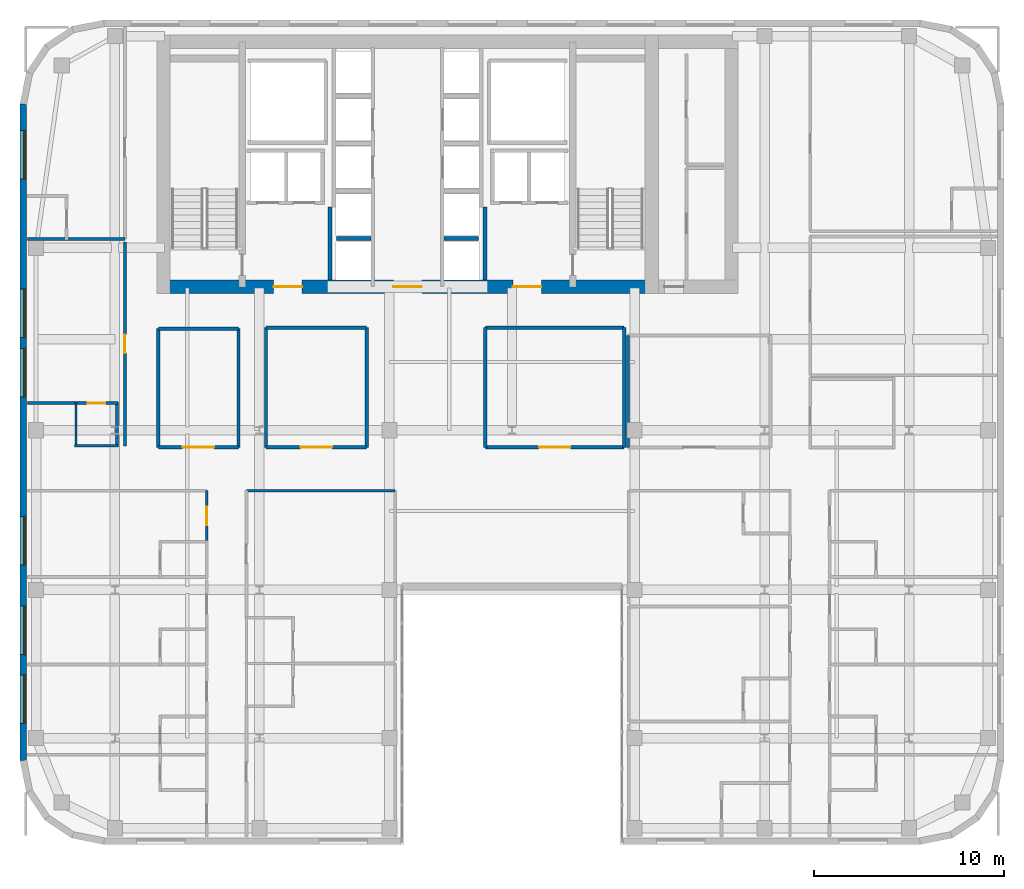
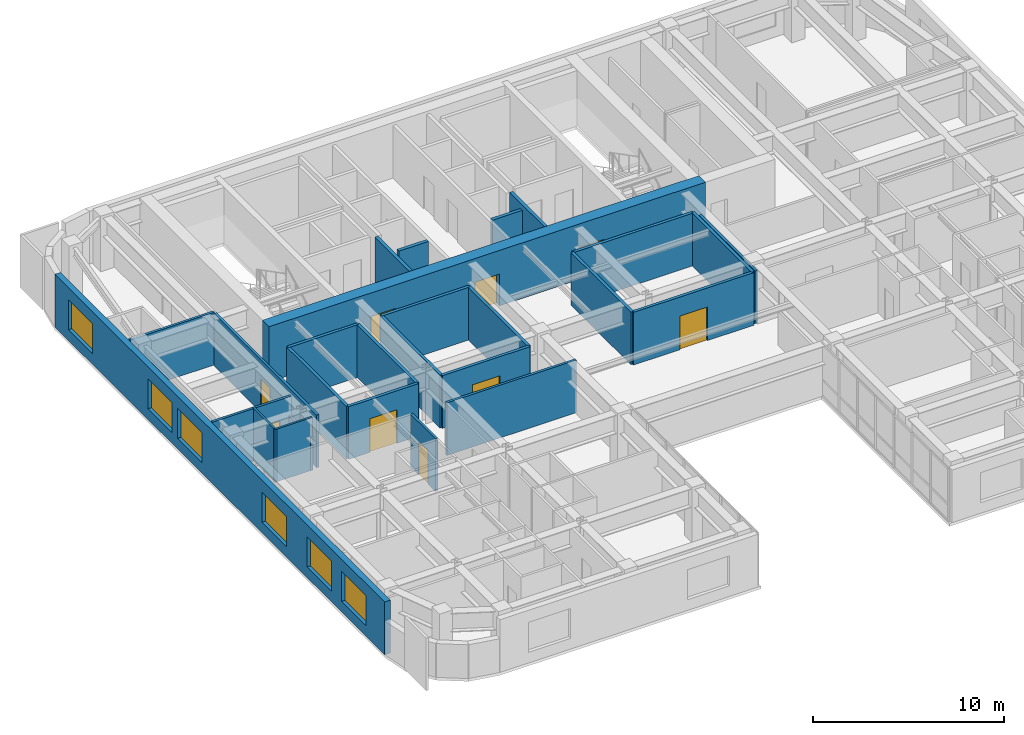
# One storey, part 8 of 14: 28 walls, 9 doors, 6 windows, 15 openings.
"""IFC4 building model written with IfcOpenShell, lengths in metres."""

from ifc_helpers import new_model, si_unit, direction, frame, frame_2d, origin, place, context, subcontext, project, spatial, rectangle, extrude, source, transform, mapped, material, layer, layer_set, type_object, type_shapes, element, fill, save


model = new_model("IFC4")

# Units and contexts
model_context = context("Model", 3, precision=1e-05, world=origin(), true_north=direction((0.0, 1.0)))
body_context = subcontext(model_context, "Body", "Model", "MODEL_VIEW")
ifc_project = project(units=[si_unit("LENGTHUNIT", "METRE"), si_unit("AREAUNIT", "SQUARE_METRE"), si_unit("VOLUMEUNIT", "CUBIC_METRE"), si_unit("PLANEANGLEUNIT", "RADIAN"), si_unit("MASSUNIT", "GRAM", prefix="KILO")], contexts=[model_context])

# Site, building, storey
site_placement = place(None, origin())
site = spatial("IfcSite", under=ifc_project, at=site_placement, CompositionType="ELEMENT")
building_placement = place(site_placement, origin())
building = spatial("IfcBuilding", under=site, at=building_placement, Name="Tolvann Quenvar Hotel", CompositionType="ELEMENT")
storey_placement = place(building_placement, frame((0.0, 0.0, 150.60009765625)))
storey = spatial("IfcBuildingStorey", under=building, at=storey_placement, Name="L39", CompositionType="ELEMENT", Elevation=150.60009765625)

# Wall, openings, doors
ifc_material_1 = material(Name="Concrete S65 (65 MPa)", Category="concrete")
ifc_layer_1 = layer(ifc_material_1, 0.699951171875)
ifc_layer_set_1 = layer_set([ifc_layer_1], Name="Concrete S65 (65 MPa)")
wall_type_1 = type_object("IfcWallType", Name="WALL_CORE_700", PredefinedType="SHEAR", material=ifc_layer_set_1)
wall_1_placement = place(storey_placement, frame((9.800048828125, 31.949951171875, 0.0), z_axis=(0.0, 0.0, 1.0), x_axis=(1.0, 0.0, 0.0)))
wall_1 = element("IfcWall", 1, at=wall_1_placement, inside=storey, type_object=wall_type_1, Name="Rear Core S Shear Wall (L39)", PredefinedType="SHEAR", context=body_context, shape_type="SweptSolid", body=[
    extrude(rectangle(XDim=26.39990234375, YDim=0.699951171875, at=frame_2d((13.199951171875, 0.0))), origin(), (0.0, 0.0, 1.0), 3.5498046875),
])
opening_1_placement = place(wall_1_placement, frame((7.64990234375, 0.0, 0.0), z_axis=(0.0, 0.0, 1.0), x_axis=(-1.0, 0.0, 0.0)))
opening_1 = element("IfcOpeningElement", 2, at=opening_1_placement, cuts=wall_1, Name="Opening FD-60D", PredefinedType="OPENING", context=body_context, shape_type="SweptSolid", body=[
    extrude(rectangle(XDim=1.5, YDim=2.0400390625, at=frame_2d((0.75, 1.02001953125))), frame((0.0, 0.35986328125, 0.0), z_axis=(0.0, -1.0, 0.0), x_axis=(1.0, 0.0, 0.0)), (0.0, 0.0, 1.0), 0.719970703125),
])
opening_2_placement = place(wall_1_placement, frame((13.949951171875, 0.0, 0.0), z_axis=(0.0, 0.0, 1.0), x_axis=(-1.0, 0.0, 0.0)))
opening_2 = element("IfcOpeningElement", 3, at=opening_2_placement, cuts=wall_1, Name="Opening FD-60D", PredefinedType="OPENING", context=body_context, shape_type="SweptSolid", body=[
    extrude(rectangle(XDim=1.5, YDim=2.0400390625, at=frame_2d((0.75, 1.02001953125))), frame((0.0, 0.35986328125, 0.0), z_axis=(0.0, -1.0, 0.0), x_axis=(1.0, 0.0, 0.0)), (0.0, 0.0, 1.0), 0.719970703125),
])
opening_3_placement = place(wall_1_placement, frame((20.25, 0.0, 0.0), z_axis=(0.0, 0.0, 1.0), x_axis=(-1.0, 0.0, 0.0)))
opening_3 = element("IfcOpeningElement", 4, at=opening_3_placement, cuts=wall_1, Name="Opening FD-60D", PredefinedType="OPENING", context=body_context, shape_type="SweptSolid", body=[
    extrude(rectangle(XDim=1.5, YDim=2.0400390625, at=frame_2d((0.75, 1.02001953125))), frame((0.0, 0.35986328125, 0.0), z_axis=(0.0, -1.0, 0.0), x_axis=(1.0, 0.0, 0.0)), (0.0, 0.0, 1.0), 0.719970703125),
])
ifc_material_2 = material(Name="Solid-core American oak acoustic fire door leaf in steel frame", Category="steel")
door_type_1 = type_object("IfcDoorType", Name="DOOR_FIRE_LOBBY_1500", OperationType="NOTDEFINED", PredefinedType="DOOR", material=ifc_material_2)
shared_shape_1 = source(origin(), body_context, "Body", "SweptSolid", [
    extrude(rectangle(XDim=1.5, YDim=2.0400390625, at=frame_2d((0.75, 1.02001953125))), frame((0.0, 0.02490234375, 0.0), z_axis=(0.0, -1.0, 0.0), x_axis=(1.0, 0.0, 0.0)), (0.0, 0.0, 1.0), 0.050048828125),
])
type_shapes(door_type_1, [shared_shape_1])
door_1_placement = place(opening_1_placement, origin())
door_1 = element("IfcDoor", 5, at=door_1_placement, inside=storey, type_object=door_type_1, Name="Core Lobby Fire Door FFW (L39)", OperationType="DOUBLE_DOOR_SINGLE_SWING", OverallHeight=2.0400390625, OverallWidth=1.5, PredefinedType="DOOR", context=body_context, shape_type="MappedRepresentation", body=[
    mapped(shared_shape_1, transform((0.0, 0.0, 0.0), x_axis=(1.0, 0.0, 0.0), y_axis=(0.0, 1.0, 0.0), z_axis=(0.0, 0.0, 1.0), scale=1.0)),
])
fill(opening_1, door_1)
door_2_placement = place(opening_2_placement, origin())
door_2 = element("IfcDoor", 6, at=door_2_placement, inside=storey, type_object=door_type_1, Name="Core Lobby Fire Door CLOB (L39)", OperationType="DOUBLE_DOOR_SINGLE_SWING", OverallHeight=2.0400390625, OverallWidth=1.5, PredefinedType="DOOR", context=body_context, shape_type="MappedRepresentation", body=[
    mapped(shared_shape_1, transform((0.0, 0.0, 0.0), x_axis=(1.0, 0.0, 0.0), y_axis=(0.0, 1.0, 0.0), z_axis=(0.0, 0.0, 1.0), scale=1.0)),
])
fill(opening_2, door_2)
door_3_placement = place(opening_3_placement, origin())
door_3 = element("IfcDoor", 7, at=door_3_placement, inside=storey, type_object=door_type_1, Name="Core Lobby Fire Door FFE (L39)", OperationType="DOUBLE_DOOR_SINGLE_SWING", OverallHeight=2.0400390625, OverallWidth=1.5, PredefinedType="DOOR", context=body_context, shape_type="MappedRepresentation", body=[
    mapped(shared_shape_1, transform((0.0, 0.0, 0.0), x_axis=(1.0, 0.0, 0.0), y_axis=(0.0, 1.0, 0.0), z_axis=(0.0, 0.0, 1.0), scale=1.0)),
])
fill(opening_3, door_3)

# Wall, openings, windows
ifc_material_3 = material(Name="Kiln-fired red and buff architectural clay brickwork and terracotta masonry", Category="masonry")
ifc_layer_2 = layer(ifc_material_3, 0.35009765625)
ifc_layer_set_2 = layer_set([ifc_layer_2], Name="Kiln-fired red and buff architectural clay brickwork and terracotta masonry")
wall_type_2 = type_object("IfcWallType", Name="WALL_EXT_BRICK_350", PredefinedType="SOLIDWALL", material=ifc_layer_set_2)
wall_2_placement = place(storey_placement, frame((2.77490234375, 41.582763671875, 0.0), z_axis=(0.0, 0.0, 1.0), x_axis=(0.0, -1.0, 0.0)))
wall_2 = element("IfcWall", 8, at=wall_2_placement, inside=storey, type_object=wall_type_2, Name="Exterior Chicago Brick Wall L39-E23", PredefinedType="SOLIDWALL", context=body_context, shape_type="SweptSolid", body=[
    extrude(rectangle(XDim=34.565673828125, YDim=0.35009765625, at=frame_2d((17.28271484375, 0.0))), origin(), (0.0, 0.0, 1.0), 3.369873046875),
])
opening_4_placement = place(wall_2_placement, frame((1.409912109375, 0.0, 0.679931640625)))
opening_4 = element("IfcOpeningElement", 9, at=opening_4_placement, cuts=wall_2, Name="Opening W-09", PredefinedType="OPENING", context=body_context, shape_type="SweptSolid", body=[
    extrude(rectangle(XDim=2.550048828125, YDim=1.919921875, at=frame_2d((1.27490234375, 0.9599609375))), frame((0.0, 0.18505859375, 0.0), z_axis=(0.0, -1.0, 0.0), x_axis=(1.0, 0.0, 0.0)), (0.0, 0.0, 1.0), 0.3701171875),
])
opening_5_placement = place(wall_2_placement, frame((9.751953125, 0.0, 0.679931640625)))
opening_5 = element("IfcOpeningElement", 10, at=opening_5_placement, cuts=wall_2, Name="Opening W-09", PredefinedType="OPENING", context=body_context, shape_type="SweptSolid", body=[
    extrude(rectangle(XDim=2.550048828125, YDim=1.919921875, at=frame_2d((1.27490234375, 0.9599609375))), frame((0.0, 0.18505859375, 0.0), z_axis=(0.0, -1.0, 0.0), x_axis=(1.0, 0.0, 0.0)), (0.0, 0.0, 1.0), 0.3701171875),
])
opening_6_placement = place(wall_2_placement, frame((12.8720703125, 0.0, 0.679931640625)))
opening_6 = element("IfcOpeningElement", 11, at=opening_6_placement, cuts=wall_2, Name="Opening W-09", PredefinedType="OPENING", context=body_context, shape_type="SweptSolid", body=[
    extrude(rectangle(XDim=2.550048828125, YDim=1.919921875, at=frame_2d((1.27490234375, 0.9599609375))), frame((0.0, 0.18505859375, 0.0), z_axis=(0.0, -1.0, 0.0), x_axis=(1.0, 0.0, 0.0)), (0.0, 0.0, 1.0), 0.3701171875),
])
opening_7_placement = place(wall_2_placement, frame((21.714111328125, 0.0, 0.679931640625)))
opening_7 = element("IfcOpeningElement", 12, at=opening_7_placement, cuts=wall_2, Name="Opening W-09", PredefinedType="OPENING", context=body_context, shape_type="SweptSolid", body=[
    extrude(rectangle(XDim=2.550048828125, YDim=1.919921875, at=frame_2d((1.27490234375, 0.9599609375))), frame((0.0, 0.18505859375, 0.0), z_axis=(0.0, -1.0, 0.0), x_axis=(1.0, 0.0, 0.0)), (0.0, 0.0, 1.0), 0.3701171875),
])
opening_8_placement = place(wall_2_placement, frame((26.43505859375, 0.0, 0.679931640625)))
opening_8 = element("IfcOpeningElement", 13, at=opening_8_placement, cuts=wall_2, Name="Opening W-09", PredefinedType="OPENING", context=body_context, shape_type="SweptSolid", body=[
    extrude(rectangle(XDim=2.550048828125, YDim=1.919921875, at=frame_2d((1.27490234375, 0.9599609375))), frame((0.0, 0.18505859375, 0.0), z_axis=(0.0, -1.0, 0.0), x_axis=(1.0, 0.0, 0.0)), (0.0, 0.0, 1.0), 0.3701171875),
])
opening_9_placement = place(wall_2_placement, frame((30.054931640625, 0.0, 0.679931640625)))
opening_9 = element("IfcOpeningElement", 14, at=opening_9_placement, cuts=wall_2, Name="Opening W-09", PredefinedType="OPENING", context=body_context, shape_type="SweptSolid", body=[
    extrude(rectangle(XDim=2.550048828125, YDim=1.919921875, at=frame_2d((1.27490234375, 0.9599609375))), frame((0.0, 0.18505859375, 0.0), z_axis=(0.0, -1.0, 0.0), x_axis=(1.0, 0.0, 0.0)), (0.0, 0.0, 1.0), 0.3701171875),
])
ifc_material_4 = material(Name="Thermally broken bronze-anodised aluminium frame with double low-E glazing", Category="aluminium")
window_type = type_object("IfcWindowType", Name="WIN_LNG_2550x1950", PartitioningType="TRIPLE_PANEL_HORIZONTAL", PredefinedType="WINDOW", material=ifc_material_4)
shared_shape_2 = source(origin(), body_context, "Body", "SweptSolid", [
    extrude(rectangle(XDim=2.550048828125, YDim=1.919921875, at=frame_2d((1.27490234375, 0.9599609375))), frame((0.0, 0.090087890625, 0.0), z_axis=(0.0, -1.0, 0.0), x_axis=(1.0, 0.0, 0.0)), (0.0, 0.0, 1.0), 0.06005859375),
])
type_shapes(window_type, [shared_shape_2])
window_1_placement = place(opening_4_placement, origin())
window_1 = element("IfcWindow", 15, at=window_1_placement, inside=storey, type_object=window_type, Name="Chicago Window W-09 (EW-L39-E23-W01)", OverallHeight=1.919921875, OverallWidth=2.550048828125, PartitioningType="TRIPLE_PANEL_HORIZONTAL", PredefinedType="WINDOW", context=body_context, shape_type="MappedRepresentation", body=[
    mapped(shared_shape_2, transform((0.0, 0.0, 0.0), x_axis=(1.0, 0.0, 0.0), y_axis=(0.0, 1.0, 0.0), z_axis=(0.0, 0.0, 1.0), scale=1.0)),
])
fill(opening_4, window_1)
window_2_placement = place(opening_5_placement, origin())
window_2 = element("IfcWindow", 16, at=window_2_placement, inside=storey, type_object=window_type, Name="Chicago Window W-09 (EW-L39-E23-W02)", OverallHeight=1.919921875, OverallWidth=2.550048828125, PartitioningType="TRIPLE_PANEL_HORIZONTAL", PredefinedType="WINDOW", context=body_context, shape_type="MappedRepresentation", body=[
    mapped(shared_shape_2, transform((0.0, 0.0, 0.0), x_axis=(1.0, 0.0, 0.0), y_axis=(0.0, 1.0, 0.0), z_axis=(0.0, 0.0, 1.0), scale=1.0)),
])
fill(opening_5, window_2)
window_3_placement = place(opening_6_placement, origin())
window_3 = element("IfcWindow", 17, at=window_3_placement, inside=storey, type_object=window_type, Name="Chicago Window W-09 (EW-L39-E23-W03)", OverallHeight=1.919921875, OverallWidth=2.550048828125, PartitioningType="TRIPLE_PANEL_HORIZONTAL", PredefinedType="WINDOW", context=body_context, shape_type="MappedRepresentation", body=[
    mapped(shared_shape_2, transform((0.0, 0.0, 0.0), x_axis=(1.0, 0.0, 0.0), y_axis=(0.0, 1.0, 0.0), z_axis=(0.0, 0.0, 1.0), scale=1.0)),
])
fill(opening_6, window_3)
window_4_placement = place(opening_7_placement, origin())
window_4 = element("IfcWindow", 18, at=window_4_placement, inside=storey, type_object=window_type, Name="Chicago Window W-09 (EW-L39-E23-W04)", OverallHeight=1.919921875, OverallWidth=2.550048828125, PartitioningType="TRIPLE_PANEL_HORIZONTAL", PredefinedType="WINDOW", context=body_context, shape_type="MappedRepresentation", body=[
    mapped(shared_shape_2, transform((0.0, 0.0, 0.0), x_axis=(1.0, 0.0, 0.0), y_axis=(0.0, 1.0, 0.0), z_axis=(0.0, 0.0, 1.0), scale=1.0)),
])
fill(opening_7, window_4)
window_5_placement = place(opening_8_placement, origin())
window_5 = element("IfcWindow", 19, at=window_5_placement, inside=storey, type_object=window_type, Name="Chicago Window W-09 (EW-L39-E23-W05)", OverallHeight=1.919921875, OverallWidth=2.550048828125, PartitioningType="TRIPLE_PANEL_HORIZONTAL", PredefinedType="WINDOW", context=body_context, shape_type="MappedRepresentation", body=[
    mapped(shared_shape_2, transform((0.0, 0.0, 0.0), x_axis=(1.0, 0.0, 0.0), y_axis=(0.0, 1.0, 0.0), z_axis=(0.0, 0.0, 1.0), scale=1.0)),
])
fill(opening_8, window_5)
window_6_placement = place(opening_9_placement, origin())
window_6 = element("IfcWindow", 20, at=window_6_placement, inside=storey, type_object=window_type, Name="Chicago Window W-09 (EW-L39-E23-W06)", OverallHeight=1.919921875, OverallWidth=2.550048828125, PartitioningType="TRIPLE_PANEL_HORIZONTAL", PredefinedType="WINDOW", context=body_context, shape_type="MappedRepresentation", body=[
    mapped(shared_shape_2, transform((0.0, 0.0, 0.0), x_axis=(1.0, 0.0, 0.0), y_axis=(0.0, 1.0, 0.0), z_axis=(0.0, 0.0, 1.0), scale=1.0)),
])
fill(opening_9, window_6)

# Wall, opening, door
ifc_material_5 = material(Name="Acoustic twin-stud fire-rated gypsum plasterboard partition")
ifc_layer_3 = layer(ifc_material_5, 0.179931640625)
ifc_layer_set_3 = layer_set([ifc_layer_3], Name="Acoustic twin-stud fire-rated gypsum plasterboard partition")
wall_type_3 = type_object("IfcWallType", Name="WALL_PART_ACOUSTIC_180", PredefinedType="PARTITIONING", material=ifc_layer_set_3)
wall_3_placement = place(storey_placement, frame((9.8798828125, 23.5, 0.0), z_axis=(0.0, 0.0, 1.0), x_axis=(1.0, 0.0, 0.0)))
wall_3 = element("IfcWall", 21, at=wall_3_placement, inside=storey, type_object=wall_type_3, Name="Interior Partition PT-SPC-L39-MSP-W-S", PredefinedType="PARTITIONING", context=body_context, shape_type="SweptSolid", body=[
    extrude(rectangle(XDim=4.22021484375, YDim=0.179931640625, at=frame_2d((2.110107421875, 0.0))), origin(), (0.0, 0.0, 1.0), 3.369873046875),
])
opening_10_placement = place(wall_3_placement, frame((1.284912109375, 0.0, 0.0)))
opening_10 = element("IfcOpeningElement", 22, at=opening_10_placement, cuts=wall_3, Name="Opening AD-01", PredefinedType="OPENING", context=body_context, shape_type="SweptSolid", body=[
    extrude(rectangle(XDim=1.64990234375, YDim=2.14990234375, at=frame_2d((0.824951171875, 1.074951171875))), frame((0.0, 0.10009765625, 0.0), z_axis=(0.0, -1.0, 0.0), x_axis=(1.0, 0.0, 0.0)), (0.0, 0.0, 1.0), 0.199951171875),
])
door_type_2 = type_object("IfcDoorType", Name="DOOR_SALON_1650", OperationType="NOTDEFINED", PredefinedType="DOOR", material=ifc_material_2)
shared_shape_3 = source(origin(), body_context, "Body", "SweptSolid", [
    extrude(rectangle(XDim=1.64990234375, YDim=2.14990234375, at=frame_2d((0.824951171875, 1.074951171875))), frame((0.0, 0.02490234375, 0.0), z_axis=(0.0, -1.0, 0.0), x_axis=(1.0, 0.0, 0.0)), (0.0, 0.0, 1.0), 0.050048828125),
])
type_shapes(door_type_2, [shared_shape_3])
door_4_placement = place(opening_10_placement, origin())
door_4 = element("IfcDoor", 23, at=door_4_placement, inside=storey, type_object=door_type_2, Name="Interior Door DOOR-SPC-L39-MSP-W", OperationType="DOUBLE_DOOR_SINGLE_SWING", OverallHeight=2.14990234375, OverallWidth=1.64990234375, PredefinedType="DOOR", context=body_context, shape_type="MappedRepresentation", body=[
    mapped(shared_shape_3, transform((0.0, 0.0, 0.0), x_axis=(1.0, 0.0, 0.0), y_axis=(0.0, 1.0, 0.0), z_axis=(0.0, 0.0, 1.0), scale=1.0)),
])
fill(opening_10, door_4)

# Walls
wall_4_placement = place(storey_placement, frame((9.8798828125, 29.75, 0.0), z_axis=(0.0, 0.0, 1.0), x_axis=(1.0, 0.0, 0.0)))
element("IfcWall", 24, at=wall_4_placement, inside=storey, type_object=wall_type_3, Name="Interior Partition PT-SPC-L39-MSP-W-N", PredefinedType="PARTITIONING", context=body_context, shape_type="SweptSolid", body=[
    extrude(rectangle(XDim=4.22021484375, YDim=0.179931640625, at=frame_2d((2.110107421875, 0.0))), origin(), (0.0, 0.0, 1.0), 3.369873046875),
])
for number, where, z_axis, x_axis, name in (
    (25, (9.8798828125, 23.5, 0.0), (0.0, 0.0, 1.0), (0.0, 1.0, 0.0), "Interior Partition PT-SPC-L39-MSP-W-W"),
    (26, (14.10009765625, 23.5, 0.0), (0.0, 0.0, 1.0), (0.0, 1.0, 0.0), "Interior Partition PT-SPC-L39-MSP-W-E"),
):
    element("IfcWall", number, at=place(storey_placement, frame(where, z_axis=z_axis, x_axis=x_axis)), inside=storey, type_object=wall_type_3, Name=name, PredefinedType="PARTITIONING", context=body_context, shape_type="SweptSolid", body=[
        extrude(rectangle(XDim=6.25, YDim=0.179931640625, at=frame_2d((3.125, 0.0))), origin(), (0.0, 0.0, 1.0), 3.369873046875),
    ])

# Wall, opening, door
wall_5_placement = place(storey_placement, frame((27.10009765625, 23.5, 0.0), z_axis=(0.0, 0.0, 1.0), x_axis=(1.0, 0.0, 0.0)))
wall_5 = element("IfcWall", 27, at=wall_5_placement, inside=storey, type_object=wall_type_3, Name="Interior Partition PT-SPC-L39-MSP-C-S", PredefinedType="PARTITIONING", context=body_context, shape_type="SweptSolid", body=[
    extrude(rectangle(XDim=7.2998046875, YDim=0.179931640625, at=frame_2d((3.64990234375, 0.0))), origin(), (0.0, 0.0, 1.0), 3.369873046875),
])
opening_11_placement = place(wall_5_placement, frame((2.824951171875, 0.0, 0.0)))
opening_11 = element("IfcOpeningElement", 28, at=opening_11_placement, cuts=wall_5, Name="Opening AD-01", PredefinedType="OPENING", context=body_context, shape_type="SweptSolid", body=[
    extrude(rectangle(XDim=1.64990234375, YDim=2.14990234375, at=frame_2d((0.824951171875, 1.074951171875))), frame((0.0, 0.10009765625, 0.0), z_axis=(0.0, -1.0, 0.0), x_axis=(1.0, 0.0, 0.0)), (0.0, 0.0, 1.0), 0.199951171875),
])
door_5_placement = place(opening_11_placement, origin())
door_5 = element("IfcDoor", 29, at=door_5_placement, inside=storey, type_object=door_type_2, Name="Interior Door DOOR-SPC-L39-MSP-C", OperationType="DOUBLE_DOOR_SINGLE_SWING", OverallHeight=2.14990234375, OverallWidth=1.64990234375, PredefinedType="DOOR", context=body_context, shape_type="MappedRepresentation", body=[
    mapped(shared_shape_3, transform((0.0, 0.0, 0.0), x_axis=(1.0, 0.0, 0.0), y_axis=(0.0, 1.0, 0.0), z_axis=(0.0, 0.0, 1.0), scale=1.0)),
])
fill(opening_11, door_5)

# Walls
wall_6_placement = place(storey_placement, frame((27.10009765625, 29.800048828125, 0.0), z_axis=(0.0, 0.0, 1.0), x_axis=(1.0, 0.0, 0.0)))
element("IfcWall", 30, at=wall_6_placement, inside=storey, type_object=wall_type_3, Name="Interior Partition PT-SPC-L39-MSP-C-N", PredefinedType="PARTITIONING", context=body_context, shape_type="SweptSolid", body=[
    extrude(rectangle(XDim=7.2998046875, YDim=0.179931640625, at=frame_2d((3.64990234375, 0.0))), origin(), (0.0, 0.0, 1.0), 3.369873046875),
])
for number, where, z_axis, x_axis, name in (
    (31, (27.10009765625, 23.5, 0.0), (0.0, 0.0, 1.0), (0.0, 1.0, 0.0), "Interior Partition PT-SPC-L39-MSP-C-W"),
    (32, (34.39990234375, 23.5, 0.0), (0.0, 0.0, 1.0), (0.0, 1.0, 0.0), "Interior Partition PT-SPC-L39-MSP-C-E"),
):
    element("IfcWall", number, at=place(storey_placement, frame(where, z_axis=z_axis, x_axis=x_axis)), inside=storey, type_object=wall_type_3, Name=name, PredefinedType="PARTITIONING", context=body_context, shape_type="SweptSolid", body=[
        extrude(rectangle(XDim=6.300048828125, YDim=0.179931640625, at=frame_2d((3.14990234375, 0.0))), origin(), (0.0, 0.0, 1.0), 3.369873046875),
    ])

# Wall, opening, door
wall_7_placement = place(storey_placement, frame((15.550048828125, 23.5, 0.0), z_axis=(0.0, 0.0, 1.0), x_axis=(1.0, 0.0, 0.0)))
wall_7 = element("IfcWall", 33, at=wall_7_placement, inside=storey, type_object=wall_type_3, Name="Interior Partition PT-SPC-L39-MSP-N-S", PredefinedType="PARTITIONING", context=body_context, shape_type="SweptSolid", body=[
    extrude(rectangle(XDim=5.300048828125, YDim=0.179931640625, at=frame_2d((2.64990234375, 0.0))), origin(), (0.0, 0.0, 1.0), 3.369873046875),
])
opening_12_placement = place(wall_7_placement, frame((1.824951171875, 0.0, 0.0)))
opening_12 = element("IfcOpeningElement", 34, at=opening_12_placement, cuts=wall_7, Name="Opening AD-01", PredefinedType="OPENING", context=body_context, shape_type="SweptSolid", body=[
    extrude(rectangle(XDim=1.64990234375, YDim=2.14990234375, at=frame_2d((0.824951171875, 1.074951171875))), frame((0.0, 0.10009765625, 0.0), z_axis=(0.0, -1.0, 0.0), x_axis=(1.0, 0.0, 0.0)), (0.0, 0.0, 1.0), 0.199951171875),
])
door_6_placement = place(opening_12_placement, origin())
door_6 = element("IfcDoor", 35, at=door_6_placement, inside=storey, type_object=door_type_2, Name="Interior Door DOOR-SPC-L39-MSP-N", OperationType="DOUBLE_DOOR_SINGLE_SWING", OverallHeight=2.14990234375, OverallWidth=1.64990234375, PredefinedType="DOOR", context=body_context, shape_type="MappedRepresentation", body=[
    mapped(shared_shape_3, transform((0.0, 0.0, 0.0), x_axis=(1.0, 0.0, 0.0), y_axis=(0.0, 1.0, 0.0), z_axis=(0.0, 0.0, 1.0), scale=1.0)),
])
fill(opening_12, door_6)

# Walls
wall_8_placement = place(storey_placement, frame((15.550048828125, 29.800048828125, 0.0), z_axis=(0.0, 0.0, 1.0), x_axis=(1.0, 0.0, 0.0)))
element("IfcWall", 36, at=wall_8_placement, inside=storey, type_object=wall_type_3, Name="Interior Partition PT-SPC-L39-MSP-N-N", PredefinedType="PARTITIONING", context=body_context, shape_type="SweptSolid", body=[
    extrude(rectangle(XDim=5.300048828125, YDim=0.179931640625, at=frame_2d((2.64990234375, 0.0))), origin(), (0.0, 0.0, 1.0), 3.369873046875),
])
for number, where, z_axis, x_axis, name in (
    (37, (15.550048828125, 23.5, 0.0), (0.0, 0.0, 1.0), (0.0, 1.0, 0.0), "Interior Partition PT-SPC-L39-MSP-N-W"),
    (38, (20.85009765625, 23.5, 0.0), (0.0, 0.0, 1.0), (0.0, 1.0, 0.0), "Interior Partition PT-SPC-L39-MSP-N-E"),
):
    element("IfcWall", number, at=place(storey_placement, frame(where, z_axis=z_axis, x_axis=x_axis)), inside=storey, type_object=wall_type_3, Name=name, PredefinedType="PARTITIONING", context=body_context, shape_type="SweptSolid", body=[
        extrude(rectangle(XDim=6.300048828125, YDim=0.179931640625, at=frame_2d((3.14990234375, 0.0))), origin(), (0.0, 0.0, 1.0), 3.369873046875),
    ])
ifc_material_6 = material(Name="Moisture-resistant acoustic plumbing wall assembly")
ifc_layer_4 = layer(ifc_material_6, 0.1201171875)
ifc_layer_set_4 = layer_set([ifc_layer_4], Name="Moisture-resistant acoustic plumbing wall assembly")
wall_type_4 = type_object("IfcWallType", Name="WALL_PART_BATH_120", PredefinedType="PLUMBINGWALL", material=ifc_layer_set_4)
wall_9_placement = place(storey_placement, frame((5.47998046875, 23.580078125, 0.0), z_axis=(0.0, 0.0, 1.0), x_axis=(1.0, 0.0, 0.0)))
element("IfcWall", 39, at=wall_9_placement, inside=storey, type_object=wall_type_4, Name="Non-Rated Plumbing Partition PT-SPC-L39-ENS-NW01-S", PredefinedType="PLUMBINGWALL", context=body_context, shape_type="SweptSolid", body=[
    extrude(rectangle(XDim=2.2900390625, YDim=0.1201171875, at=frame_2d((1.14501953125, 0.0))), origin(), (0.0, 0.0, 1.0), 3.369873046875),
])
wall_10_placement = place(storey_placement, frame((5.550048828125, 23.510009765625, 0.0), z_axis=(0.0, 0.0, 1.0), x_axis=(0.0, 1.0, 0.0)))
element("IfcWall", 40, at=wall_10_placement, inside=storey, type_object=wall_type_4, Name="Non-Rated Plumbing Partition PT-SPC-L39-ENS-NW01-W", PredefinedType="PLUMBINGWALL", context=body_context, shape_type="SweptSolid", body=[
    extrude(rectangle(XDim=2.389892578125, YDim=0.1201171875, at=frame_2d((1.19482421875, 0.0))), origin(), (0.0, 0.0, 1.0), 3.369873046875),
])
ifc_layer_5 = layer(ifc_material_5, 0.14990234375)
ifc_layer_set_5 = layer_set([ifc_layer_5], Name="Acoustic twin-stud fire-rated gypsum plasterboard partition")
wall_type_5 = type_object("IfcWallType", Name="WALL_PART_SUITE_150", PredefinedType="PARTITIONING", material=ifc_layer_set_5)
wall_11_placement = place(storey_placement, frame((7.699951171875, 23.510009765625, 0.0), z_axis=(0.0, 0.0, 1.0), x_axis=(0.0, 1.0, 0.0)))
element("IfcWall", 41, at=wall_11_placement, inside=storey, type_object=wall_type_5, Name="Interior Partition PT-SPC-L39-ENS-NW01-ENT", PredefinedType="PARTITIONING", context=body_context, shape_type="SweptSolid", body=[
    extrude(rectangle(XDim=2.389892578125, YDim=0.14990234375, at=frame_2d((1.19482421875, 0.0))), origin(), (0.0, 0.0, 1.0), 2.159912109375),
])

# Wall, opening, door
wall_12_placement = place(storey_placement, frame((5.47998046875, 25.830078125, 0.0), z_axis=(0.0, 0.0, 1.0), x_axis=(1.0, 0.0, 0.0)))
wall_12 = element("IfcWall", 42, at=wall_12_placement, inside=storey, type_object=wall_type_5, Name="Interior Partition PT-SPC-L39-ENS-NW01-N", PredefinedType="PARTITIONING", context=body_context, shape_type="SweptSolid", body=[
    extrude(rectangle(XDim=2.2900390625, YDim=0.14990234375, at=frame_2d((1.14501953125, 0.0))), origin(), (0.0, 0.0, 1.0), 3.369873046875),
])
opening_13_placement = place(wall_12_placement, frame((0.68505859375, 0.0, 0.0)))
opening_13 = element("IfcOpeningElement", 43, at=opening_13_placement, cuts=wall_12, Name="Opening WD-01", PredefinedType="OPENING", context=body_context, shape_type="SweptSolid", body=[
    extrude(rectangle(XDim=0.919921875, YDim=2.010009765625, at=frame_2d((0.4599609375, 1.0048828125))), frame((0.0, 0.0849609375, 0.0), z_axis=(0.0, -1.0, 0.0), x_axis=(1.0, 0.0, 0.0)), (0.0, 0.0, 1.0), 0.169921875),
])
door_type_3 = type_object("IfcDoorType", Name="DOOR_WC_920", OperationType="NOTDEFINED", PredefinedType="DOOR", material=ifc_material_2)
shared_shape_4 = source(origin(), body_context, "Body", "SweptSolid", [
    extrude(rectangle(XDim=0.919921875, YDim=2.010009765625, at=frame_2d((0.4599609375, 1.0048828125))), frame((0.0, 0.02490234375, 0.0), z_axis=(0.0, -1.0, 0.0), x_axis=(1.0, 0.0, 0.0)), (0.0, 0.0, 1.0), 0.050048828125),
])
type_shapes(door_type_3, [shared_shape_4])
door_7_placement = place(opening_13_placement, origin())
door_7 = element("IfcDoor", 44, at=door_7_placement, inside=storey, type_object=door_type_3, Name="Interior Door DOOR-SPC-L39-ENS-NW01", OperationType="SINGLE_SWING_LEFT", OverallHeight=2.010009765625, OverallWidth=0.919921875, PredefinedType="DOOR", context=body_context, shape_type="MappedRepresentation", body=[
    mapped(shared_shape_4, transform((0.0, 0.0, 0.0), x_axis=(1.0, 0.0, 0.0), y_axis=(0.0, 1.0, 0.0), z_axis=(0.0, 0.0, 1.0), scale=1.0)),
])
fill(opening_13, door_7)

# Wall
wall_13_placement = place(storey_placement, frame((3.0048828125, 34.47998046875, 0.0), z_axis=(0.0, 0.0, 1.0), x_axis=(1.0, 0.0, 0.0)))
element("IfcWall", 45, at=wall_13_placement, inside=storey, type_object=wall_type_5, Name="Interior Partition PT-SPC-L39-ENS-NW02-S", PredefinedType="PARTITIONING", context=body_context, shape_type="SweptSolid", body=[
    extrude(rectangle(XDim=5.115234375, YDim=0.14990234375, at=frame_2d((2.5576171875, 0.0))), origin(), (0.0, 0.0, 1.0), 3.369873046875),
])

# Wall, opening, door
wall_14_placement = place(storey_placement, frame((12.429931640625, 18.610107421875, 0.0), z_axis=(0.0, 0.0, 1.0), x_axis=(0.0, 1.0, 0.0)))
wall_14 = element("IfcWall", 46, at=wall_14_placement, inside=storey, type_object=wall_type_5, Name="Interior Partition PT-SPC-L39-RM-WO04-ENT", PredefinedType="PARTITIONING", context=body_context, shape_type="SweptSolid", body=[
    extrude(rectangle(XDim=2.60986328125, YDim=0.14990234375, at=frame_2d((1.304931640625, 0.0))), origin(), (0.0, 0.0, 1.0), 3.369873046875),
])
opening_14_placement = place(wall_14_placement, frame((0.794921875, 0.0, 0.0)))
opening_14 = element("IfcOpeningElement", 47, at=opening_14_placement, cuts=wall_14, Name="Opening SD-01", PredefinedType="OPENING", context=body_context, shape_type="SweptSolid", body=[
    extrude(rectangle(XDim=0.97998046875, YDim=2.1201171875, at=frame_2d((0.489990234375, 1.06005859375))), frame((0.0, 0.0849609375, 0.0), z_axis=(0.0, -1.0, 0.0), x_axis=(1.0, 0.0, 0.0)), (0.0, 0.0, 1.0), 0.169921875),
])
door_type_4 = type_object("IfcDoorType", Name="DOOR_SUITE_980", OperationType="NOTDEFINED", PredefinedType="DOOR", material=ifc_material_2)
shared_shape_5 = source(origin(), body_context, "Body", "SweptSolid", [
    extrude(rectangle(XDim=0.97998046875, YDim=2.1201171875, at=frame_2d((0.489990234375, 1.06005859375))), frame((0.0, 0.02490234375, 0.0), z_axis=(0.0, -1.0, 0.0), x_axis=(1.0, 0.0, 0.0)), (0.0, 0.0, 1.0), 0.050048828125),
])
type_shapes(door_type_4, [shared_shape_5])
door_8_placement = place(opening_14_placement, origin())
door_8 = element("IfcDoor", 48, at=door_8_placement, inside=storey, type_object=door_type_4, Name="Interior Door DOOR-SPC-L39-RM-WO04", OperationType="SINGLE_SWING_LEFT", OverallHeight=2.1201171875, OverallWidth=0.97998046875, PredefinedType="DOOR", context=body_context, shape_type="MappedRepresentation", body=[
    mapped(shared_shape_5, transform((0.0, 0.0, 0.0), x_axis=(1.0, 0.0, 0.0), y_axis=(0.0, 1.0, 0.0), z_axis=(0.0, 0.0, 1.0), scale=1.0)),
])
fill(opening_14, door_8)

# Wall
wall_15_placement = place(storey_placement, frame((14.52001953125, 21.219970703125, 0.0), z_axis=(0.0, 0.0, 1.0), x_axis=(1.0, 0.0, 0.0)))
element("IfcWall", 49, at=wall_15_placement, inside=storey, type_object=wall_type_5, Name="Interior Partition PT-SPC-L39-RM-WI02-E5", PredefinedType="PARTITIONING", context=body_context, shape_type="SweptSolid", body=[
    extrude(rectangle(XDim=7.830078125, YDim=0.14990234375, at=frame_2d((3.9150390625, 0.0))), origin(), (0.0, 0.0, 1.0), 3.369873046875),
])

# Wall, opening, door
wall_16_placement = place(storey_placement, frame((8.1201171875, 23.580078125, 0.0), z_axis=(0.0, 0.0, 1.0), x_axis=(0.0, 1.0, 0.0)))
wall_16 = element("IfcWall", 50, at=wall_16_placement, inside=storey, type_object=wall_type_5, Name="Interior Partition PT-SPC-L39-RM-NW01-ENT", PredefinedType="PARTITIONING", context=body_context, shape_type="SweptSolid", body=[
    extrude(rectangle(XDim=10.739990234375, YDim=0.14990234375, at=frame_2d((5.3701171875, 0.0))), origin(), (0.0, 0.0, 1.0), 3.369873046875),
])
opening_15_placement = place(wall_16_placement, frame((4.8798828125, 0.0, 0.0)))
opening_15 = element("IfcOpeningElement", 51, at=opening_15_placement, cuts=wall_16, Name="Opening SD-01", PredefinedType="OPENING", context=body_context, shape_type="SweptSolid", body=[
    extrude(rectangle(XDim=0.97998046875, YDim=2.1201171875, at=frame_2d((0.489990234375, 1.06005859375))), frame((0.0, 0.0849609375, 0.0), z_axis=(0.0, -1.0, 0.0), x_axis=(1.0, 0.0, 0.0)), (0.0, 0.0, 1.0), 0.169921875),
])
door_9_placement = place(opening_15_placement, origin())
door_9 = element("IfcDoor", 52, at=door_9_placement, inside=storey, type_object=door_type_4, Name="Interior Door DOOR-SPC-L39-RM-NW01", OperationType="SINGLE_SWING_LEFT", OverallHeight=2.1201171875, OverallWidth=0.97998046875, PredefinedType="DOOR", context=body_context, shape_type="MappedRepresentation", body=[
    mapped(shared_shape_5, transform((0.0, 0.0, 0.0), x_axis=(1.0, 0.0, 0.0), y_axis=(0.0, 1.0, 0.0), z_axis=(0.0, 0.0, 1.0), scale=1.0)),
])
fill(opening_15, door_9)

# Walls
wall_17_placement = place(storey_placement, frame((3.0048828125, 25.830078125, 0.0), z_axis=(0.0, 0.0, 1.0), x_axis=(1.0, 0.0, 0.0)))
element("IfcWall", 53, at=wall_17_placement, inside=storey, type_object=wall_type_5, Name="Interior Partition PT-SPC-L39-RM-NW01-E8", PredefinedType="PARTITIONING", context=body_context, shape_type="SweptSolid", body=[
    extrude(rectangle(XDim=2.525146484375, YDim=0.14990234375, at=frame_2d((1.2626953125, 0.0))), origin(), (0.0, 0.0, 1.0), 3.369873046875),
])
wall_18_placement = place(storey_placement, frame((34.60009765625, 23.5, 0.0), z_axis=(0.0, 0.0, 1.0), x_axis=(0.0, 1.0, 0.0)))
element("IfcWall", 54, at=wall_18_placement, inside=storey, type_object=wall_type_5, Name="Interior Partition PT-SPC-L39-MSP-E-W", PredefinedType="PARTITIONING", context=body_context, shape_type="SweptSolid", body=[
    extrude(rectangle(XDim=5.89990234375, YDim=0.14990234375, at=frame_2d((2.949951171875, 0.0))), origin(), (0.0, 0.0, 1.0), 3.369873046875),
])
ifc_material_7 = material(Name="Concrete N40 (40 MPa)", Category="concrete")
ifc_layer_6 = layer(ifc_material_7, 0.199951171875)
ifc_layer_set_6 = layer_set([ifc_layer_6], Name="Concrete N40 (40 MPa)")
wall_type_6 = type_object("IfcWallType", Name="WALL_SHAFT_200", PredefinedType="SOLIDWALL", material=ifc_layer_set_6)
for number, where, z_axis, x_axis, name in (
    (55, (18.919921875, 32.303955078125, 0.0), (0.0, 0.0, 1.0), (0.0, 1.0, 0.0), "Firefighting Lobby W Inner Fire Wall (L39)"),
    (56, (27.080078125, 32.303955078125, 0.0), (0.0, 0.0, 1.0), (0.0, 1.0, 0.0), "Firefighting Lobby E Inner Fire Wall (L39)"),
):
    element("IfcWall", number, at=place(storey_placement, frame(where, z_axis=z_axis, x_axis=x_axis)), inside=storey, type_object=wall_type_6, Name=name, PredefinedType="SOLIDWALL", context=body_context, shape_type="SweptSolid", body=[
        extrude(rectangle(XDim=3.845947265625, YDim=0.199951171875, at=frame_2d((1.9228515625, 0.0))), origin(), (0.0, 0.0, 1.0), 3.369873046875),
    ])
for number, where, z_axis, x_axis, name in (
    (57, (19.27001953125, 34.5, 0.0), (0.0, 0.0, 1.0), (1.0, 0.0, 0.0), "Lift Bank E21.1C1 Divider Wall 1 (L39)"),
    (58, (24.929931640625, 34.5, 0.0), (0.0, 0.0, 1.0), (1.0, 0.0, 0.0), "Lift Bank W24.9C1 Divider Wall 1 (L39)"),
):
    element("IfcWall", number, at=place(storey_placement, frame(where, z_axis=z_axis, x_axis=x_axis)), inside=storey, type_object=wall_type_6, Name=name, PredefinedType="SOLIDWALL", context=body_context, shape_type="SweptSolid", body=[
        extrude(rectangle(XDim=1.800048828125, YDim=0.199951171875, at=frame_2d((0.89990234375, 0.0))), origin(), (0.0, 0.0, 1.0), 3.369873046875),
    ])

save(model, "model.ifc")
